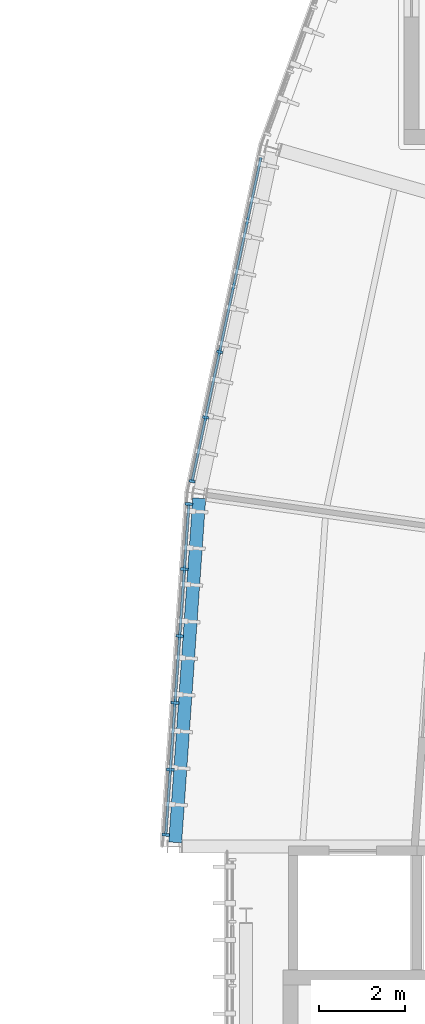
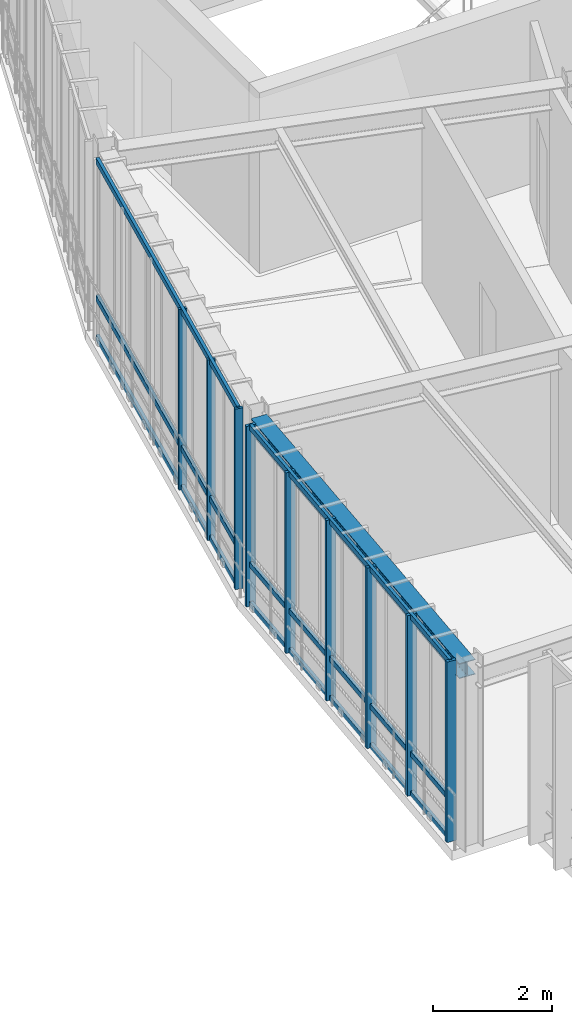
# One storey, part 7 of 41: 15 members, 1 beam, 2 elements without a shape of their own.
"""IFC4 building model written with IfcOpenShell, lengths in metres."""

from ifc_helpers import new_model, si_unit, direction, frame, origin, origin_2d, place, context, subcontext, project, spatial, rectangle, i_section, extrude, material, layer, layer_set, material_profile, profile_set, type_object, element, aggregate, save


model = new_model("IFC4")

# Units and contexts
model_context = context("Model", 3, precision=1e-05, world=origin(), true_north=direction((0.0, 1.0)))
body_context = subcontext(model_context, "Body", "Model", "MODEL_VIEW")
ifc_project = project(units=[si_unit("LENGTHUNIT", "METRE"), si_unit("AREAUNIT", "SQUARE_METRE"), si_unit("VOLUMEUNIT", "CUBIC_METRE"), si_unit("PLANEANGLEUNIT", "RADIAN"), si_unit("MASSUNIT", "GRAM", prefix="KILO"), si_unit("THERMODYNAMICTEMPERATUREUNIT", "KELVIN"), si_unit("POWERUNIT", "WATT")], contexts=[model_context])

# Site, building, storey
site_placement = place(None, origin())
site = spatial("IfcSite", under=ifc_project, at=site_placement, CompositionType="ELEMENT")
building_placement = place(site_placement, origin())
building = spatial("IfcBuilding", under=site, at=building_placement, Name="Solvatero Civic Police Headquarters", CompositionType="ELEMENT")
storey_placement = place(building_placement, frame((0.0, 0.0, 17.699951171875)))
storey = spatial("IfcBuildingStorey", under=building, at=storey_placement, Name="L04", CompositionType="ELEMENT", Elevation=17.699951171875)

# Beam
ifc_material_1 = material(Name="Steel S355", Category="steel")
ifc_material_profile_1 = material_profile(ifc_material_1, i_section(OverallWidth=0.300048828125, OverallDepth=0.31005859375, WebThickness=0.009033203125, FlangeThickness=0.015380859375, FilletRadius=0.027099609375, at=origin_2d()), Name="HEA 320")
ifc_profile_set_1 = profile_set([ifc_material_profile_1], Name="Steel S355")
beam_type = type_object("IfcBeamType", Name="BM-ST-HEA320", PredefinedType="SPANDREL", material=ifc_profile_set_1)
beam_placement = place(storey_placement, frame((35.913818359375, 34.062744140625, 3.545166015625), z_axis=(-0.06976460332, -0.997563481751, 0.0), x_axis=(0.997563481751, -0.06976460332, 0.0)))
element("IfcBeam", 1, at=beam_placement, inside=storey, type_object=beam_type, Name="Perimeter / radial spandrel beam BM-R2-L04-ARC-COUT-B12", PredefinedType="SPANDREL", context=body_context, shape_type="SweptSolid", body=[
    extrude(i_section(OverallWidth=0.300048828125, OverallDepth=0.31005859375, WebThickness=0.009033203125, FlangeThickness=0.015380859375, FilletRadius=0.027099609375, at=origin_2d()), origin(), (0.0, 0.0, 1.0), 7.982421875),
])

# Curtain wall, members
ifc_material_2 = material(Name="Anodized Bronze Aluminium", Category="aluminium")
ifc_layer = layer(ifc_material_2, 0.179931640625)
ifc_layer_set = layer_set([ifc_layer], Name="Anodized Bronze Aluminium")
curtain_wall_type = type_object("IfcCurtainWallType", Name="CW-ARC-OUT", PredefinedType="USERDEFINED", material=ifc_layer_set)
curtain_wall_1_placement = place(storey_placement, origin())
curtain_wall_1 = element("IfcCurtainWall", 2, at=curtain_wall_1_placement, inside=storey, type_object=curtain_wall_type, Name="Curtain Wall CW-R2-L04-ARC-OUT-B11", ObjectType="UNITISED", PredefinedType="USERDEFINED")
ifc_material_profile_2 = material_profile(ifc_material_2, rectangle(XDim=0.06005859375, YDim=0.139892578125, at=origin_2d()), Name="ALU MULLION 60x140")
ifc_profile_set_2 = profile_set([ifc_material_profile_2], Name="Anodized Bronze Aluminium")
member_type_1 = type_object("IfcMemberType", Name="CWM-160x65", PredefinedType="MULLION", material=ifc_profile_set_2)
member_1_placement = place(storey_placement, frame((36.384765625, 37.448974609375, 0.0), z_axis=(0.0, 0.0, 1.0), x_axis=(-0.207911690818, -0.978147600734, 0.0)))
member_1 = element("IfcMember", 3, at=member_1_placement, type_object=member_type_1, Name="CW-R2-L04-ARC-OUT-B11 Mullion 4", PredefinedType="MULLION", context=body_context, shape_type="SweptSolid", body=[
    extrude(rectangle(XDim=0.06005859375, YDim=0.139892578125, at=origin_2d()), origin(), (0.0, 0.0, 1.0), 3.699951171875),
])
member_2_placement = place(storey_placement, frame((36.062255859375, 35.932373046875, 0.0), z_axis=(0.0, 0.0, 1.0), x_axis=(-0.207911690818, -0.978147600734, 0.0)))
member_2 = element("IfcMember", 4, at=member_2_placement, type_object=member_type_1, Name="CW-R2-L04-ARC-OUT-B11 Mullion 5", PredefinedType="MULLION", context=body_context, shape_type="SweptSolid", body=[
    extrude(rectangle(XDim=0.06005859375, YDim=0.139892578125, at=origin_2d()), origin(), (0.0, 0.0, 1.0), 3.699951171875),
])
member_3_placement = place(storey_placement, frame((35.748291015625, 34.454833984375, 0.0), z_axis=(0.0, 0.0, 1.0), x_axis=(-0.207911690818, -0.978147600734, 0.0)))
member_3 = element("IfcMember", 5, at=member_3_placement, type_object=member_type_1, Name="CW-R2-L04-ARC-OUT-B11 Mullion 6", PredefinedType="MULLION", context=body_context, shape_type="SweptSolid", body=[
    extrude(rectangle(XDim=0.06005859375, YDim=0.139892578125, at=origin_2d()), origin(), (0.0, 0.0, 1.0), 3.699951171875),
])

curtain_wall_2_placement = place(storey_placement, origin())
curtain_wall_2 = element("IfcCurtainWall", 6, at=curtain_wall_2_placement, inside=storey, type_object=curtain_wall_type, Name="Curtain Wall CW-R2-L04-ARC-OUT-B12", ObjectType="UNITISED", PredefinedType="USERDEFINED")
ifc_material_profile_3 = material_profile(ifc_material_2, rectangle(XDim=0.06494140625, YDim=0.179931640625, at=origin_2d()), Name="ALU MULLION 65x180")
ifc_profile_set_3 = profile_set([ifc_material_profile_3], Name="Anodized Bronze Aluminium")
member_type_2 = type_object("IfcMemberType", Name="CWM-200x75", PredefinedType="MULLION", material=ifc_profile_set_3)
member_4_placement = place(storey_placement, frame((35.67431640625, 33.92919921875, 0.0), z_axis=(0.0, 0.0, 1.0), x_axis=(-0.069739062956, -0.997565267588, 0.0)))
member_4 = element("IfcMember", 7, at=member_4_placement, type_object=member_type_2, Name="CW-R2-L04-ARC-OUT-B12 Mullion 1", PredefinedType="MULLION", context=body_context, shape_type="SweptSolid", body=[
    extrude(rectangle(XDim=0.06494140625, YDim=0.179931640625, at=origin_2d()), origin(), (0.0, 0.0, 1.0), 3.699951171875),
])
member_5_placement = place(storey_placement, frame((35.569091796875, 32.42236328125, 0.0), z_axis=(0.0, 0.0, 1.0), x_axis=(-0.069739062956, -0.997565267588, 0.0)))
member_5 = element("IfcMember", 8, at=member_5_placement, type_object=member_type_2, Name="CW-R2-L04-ARC-OUT-B12 Mullion 2", PredefinedType="MULLION", context=body_context, shape_type="SweptSolid", body=[
    extrude(rectangle(XDim=0.06494140625, YDim=0.179931640625, at=origin_2d()), origin(), (0.0, 0.0, 1.0), 3.699951171875),
])
member_6_placement = place(storey_placement, frame((35.4609375, 30.87548828125, 0.0), z_axis=(0.0, 0.0, 1.0), x_axis=(-0.069739062956, -0.997565267588, 0.0)))
member_6 = element("IfcMember", 9, at=member_6_placement, type_object=member_type_2, Name="CW-R2-L04-ARC-OUT-B12 Mullion 3", PredefinedType="MULLION", context=body_context, shape_type="SweptSolid", body=[
    extrude(rectangle(XDim=0.06494140625, YDim=0.179931640625, at=origin_2d()), origin(), (0.0, 0.0, 1.0), 3.699951171875),
])
member_7_placement = place(storey_placement, frame((35.352783203125, 29.328857421875, 0.0), z_axis=(0.0, 0.0, 1.0), x_axis=(-0.069739062956, -0.997565267588, 0.0)))
member_7 = element("IfcMember", 10, at=member_7_placement, type_object=member_type_2, Name="CW-R2-L04-ARC-OUT-B12 Mullion 4", PredefinedType="MULLION", context=body_context, shape_type="SweptSolid", body=[
    extrude(rectangle(XDim=0.06494140625, YDim=0.179931640625, at=origin_2d()), origin(), (0.0, 0.0, 1.0), 3.699951171875),
])
member_8_placement = place(storey_placement, frame((35.24462890625, 27.781982421875, 0.0), z_axis=(0.0, 0.0, 1.0), x_axis=(-0.069739062956, -0.997565267588, 0.0)))
member_8 = element("IfcMember", 11, at=member_8_placement, type_object=member_type_2, Name="CW-R2-L04-ARC-OUT-B12 Mullion 5", PredefinedType="MULLION", context=body_context, shape_type="SweptSolid", body=[
    extrude(rectangle(XDim=0.06494140625, YDim=0.179931640625, at=origin_2d()), origin(), (0.0, 0.0, 1.0), 3.699951171875),
])
member_9_placement = place(storey_placement, frame((35.13916015625, 26.275390625, 0.0), z_axis=(0.0, 0.0, 1.0), x_axis=(-0.069739062956, -0.997565267588, 0.0)))
member_9 = element("IfcMember", 12, at=member_9_placement, type_object=member_type_2, Name="CW-R2-L04-ARC-OUT-B12 Mullion 6", PredefinedType="MULLION", context=body_context, shape_type="SweptSolid", body=[
    extrude(rectangle(XDim=0.06494140625, YDim=0.179931640625, at=origin_2d()), origin(), (0.0, 0.0, 1.0), 3.699951171875),
])
ifc_material_profile_4 = material_profile(ifc_material_2, rectangle(XDim=0.06005859375, YDim=0.110107421875, at=origin_2d()), Name="ALU TRANSOM 60x110")
ifc_profile_set_4 = profile_set([ifc_material_profile_4], Name="Anodized Bronze Aluminium")
member_type_3 = type_object("IfcMemberType", Name="CWT-140x60", PredefinedType="USERDEFINED", material=ifc_profile_set_4)
member_10_placement = place(storey_placement, frame((35.673583984375, 33.919189453125, 0.0400390625), z_axis=(-0.069741502562, -0.997565097034, 0.0), x_axis=(0.997565097034, -0.069741502562, 0.0)))
member_10 = element("IfcMember", 13, at=member_10_placement, type_object=member_type_3, Name="CW-R2-L04-ARC-OUT-B12 Transom 1", ObjectType="TRANSOM", PredefinedType="USERDEFINED", context=body_context, shape_type="SweptSolid", body=[
    extrude(rectangle(XDim=0.06005859375, YDim=0.110107421875, at=origin_2d()), origin(), (0.0, 0.0, 1.0), 7.65234375),
])
member_11_placement = place(storey_placement, frame((35.673583984375, 33.919189453125, 0.85009765625), z_axis=(-0.069741502562, -0.997565097034, 0.0), x_axis=(0.997565097034, -0.069741502562, 0.0)))
member_11 = element("IfcMember", 14, at=member_11_placement, type_object=member_type_3, Name="CW-R2-L04-ARC-OUT-B12 Transom 2", ObjectType="TRANSOM", PredefinedType="USERDEFINED", context=body_context, shape_type="SweptSolid", body=[
    extrude(rectangle(XDim=0.06005859375, YDim=0.110107421875, at=origin_2d()), origin(), (0.0, 0.0, 1.0), 7.65234375),
])
member_12_placement = place(storey_placement, frame((35.673583984375, 33.919189453125, 3.66015625), z_axis=(-0.069741502562, -0.997565097034, 0.0), x_axis=(0.997565097034, -0.069741502562, 0.0)))
member_12 = element("IfcMember", 15, at=member_12_placement, type_object=member_type_3, Name="CW-R2-L04-ARC-OUT-B12 Transom 3", ObjectType="TRANSOM", PredefinedType="USERDEFINED", context=body_context, shape_type="SweptSolid", body=[
    extrude(rectangle(XDim=0.06005859375, YDim=0.110107421875, at=origin_2d()), origin(), (0.0, 0.0, 1.0), 7.65234375),
])
aggregate(curtain_wall_2, [member_4, member_5, member_6, member_7, member_8, member_9, member_10, member_11, member_12])

# Member
ifc_material_profile_5 = material_profile(ifc_material_2, rectangle(XDim=0.06005859375, YDim=0.125, at=origin_2d()), Name="ALU TRANSOM 60x125")
ifc_profile_set_5 = profile_set([ifc_material_profile_5], Name="Anodized Bronze Aluminium")
member_type_4 = type_object("IfcMemberType", Name="CWT-160x65", PredefinedType="USERDEFINED", material=ifc_profile_set_5)
member_13_placement = place(storey_placement, frame((37.34130859375, 41.94970703125, 0.0400390625), z_axis=(-0.207888136833, -0.978152606991, 0.0), x_axis=(0.978152606991, -0.207888136833, 0.0)))
member_13 = element("IfcMember", 16, at=member_13_placement, type_object=member_type_4, Name="CW-R2-L04-ARC-OUT-B11 Transom 1", ObjectType="TRANSOM", PredefinedType="USERDEFINED", context=body_context, shape_type="SweptSolid", body=[
    extrude(rectangle(XDim=0.06005859375, YDim=0.125, at=origin_2d()), origin(), (0.0, 0.0, 1.0), 7.65234375),
])

member_14_placement = place(storey_placement, frame((37.34130859375, 41.94970703125, 0.85009765625), z_axis=(-0.207888136833, -0.978152606991, 0.0), x_axis=(0.978152606991, -0.207888136833, 0.0)))
member_14 = element("IfcMember", 17, at=member_14_placement, type_object=member_type_4, Name="CW-R2-L04-ARC-OUT-B11 Transom 2", ObjectType="TRANSOM", PredefinedType="USERDEFINED", context=body_context, shape_type="SweptSolid", body=[
    extrude(rectangle(XDim=0.06005859375, YDim=0.125, at=origin_2d()), origin(), (0.0, 0.0, 1.0), 7.65234375),
])

member_15_placement = place(storey_placement, frame((37.34130859375, 41.94970703125, 3.66015625), z_axis=(-0.207888136833, -0.978152606991, 0.0), x_axis=(0.978152606991, -0.207888136833, 0.0)))
member_15 = element("IfcMember", 18, at=member_15_placement, type_object=member_type_4, Name="CW-R2-L04-ARC-OUT-B11 Transom 3", ObjectType="TRANSOM", PredefinedType="USERDEFINED", context=body_context, shape_type="SweptSolid", body=[
    extrude(rectangle(XDim=0.06005859375, YDim=0.125, at=origin_2d()), origin(), (0.0, 0.0, 1.0), 7.65234375),
])

aggregate(curtain_wall_1, [member_1, member_2, member_3, member_13, member_14, member_15])

save(model, "model.ifc")
